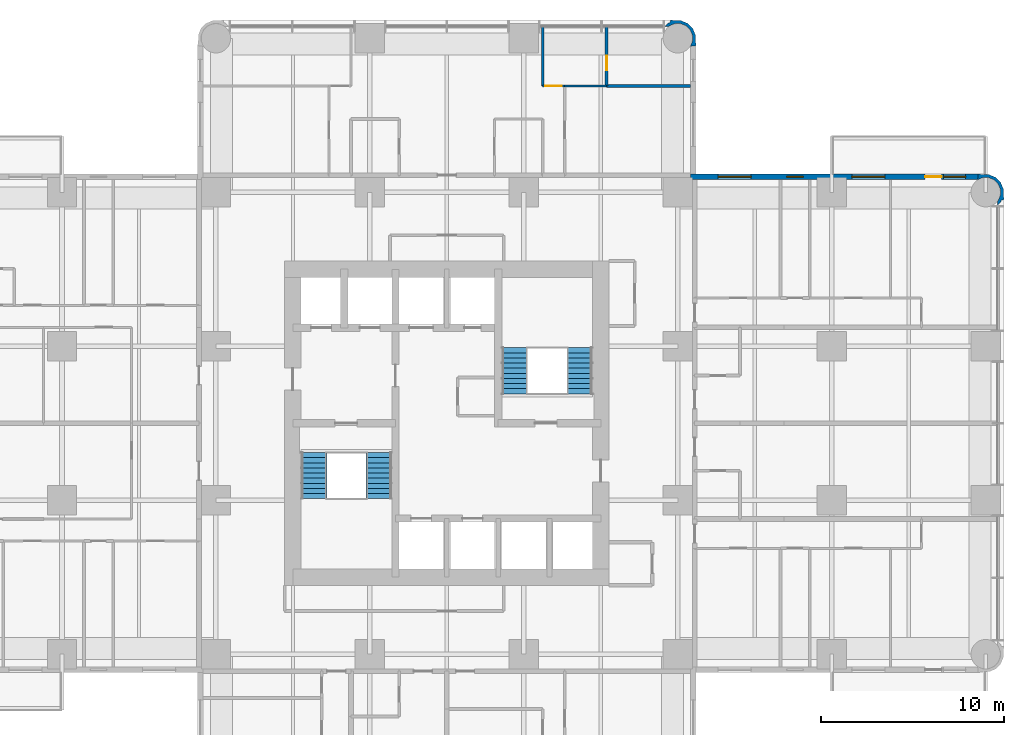
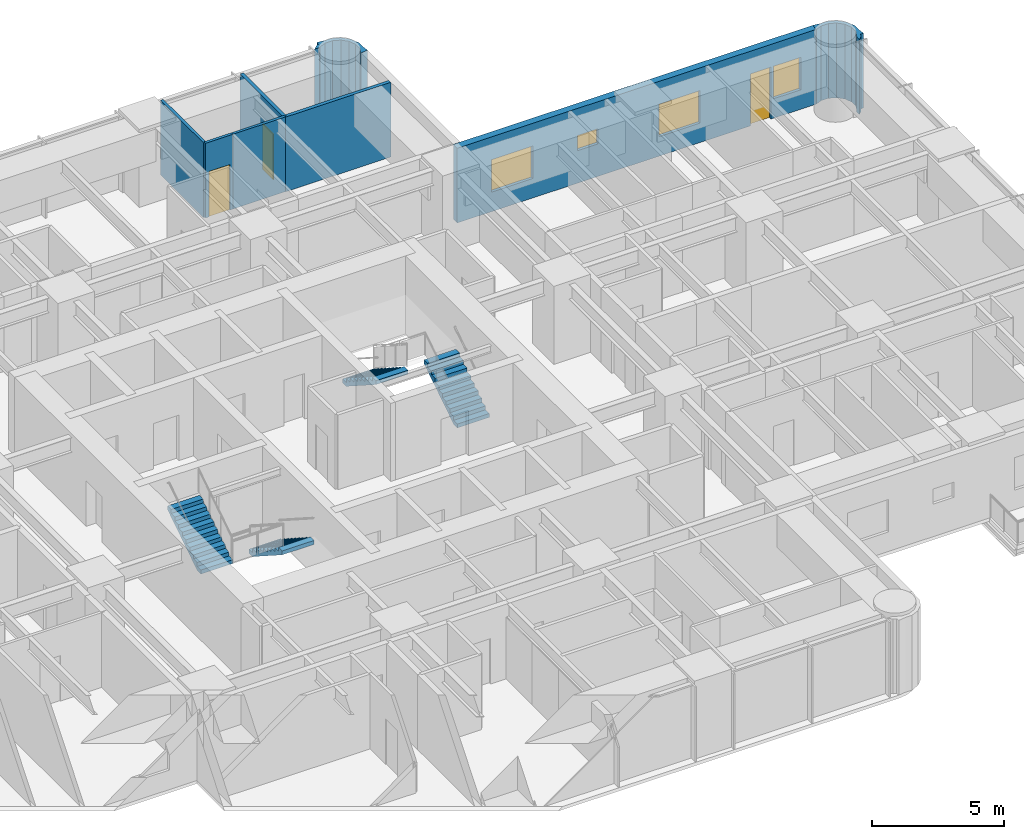
# One storey, part 12 of 14: 8 walls, 4 stair flights, 4 windows, 3 doors, 7 openings, 2 elements without a shape of their own.
"""IFC4 building model written with IfcOpenShell, lengths in metres."""

from ifc_helpers import new_model, si_unit, direction, frame, frame_2d, origin, place, context, subcontext, project, spatial, polyline, rectangle, outline, extrude, material, layer, layer_set, type_object, element, fill, aggregate, save


model = new_model("IFC4")

# Units and contexts
model_context = context("Model", 3, precision=1e-05, world=origin(), true_north=direction((0.0, 1.0)))
body_context = subcontext(model_context, "Body", "Model", "MODEL_VIEW")
ifc_project = project(units=[si_unit("LENGTHUNIT", "METRE"), si_unit("AREAUNIT", "SQUARE_METRE"), si_unit("VOLUMEUNIT", "CUBIC_METRE"), si_unit("PLANEANGLEUNIT", "RADIAN"), si_unit("MASSUNIT", "GRAM", prefix="KILO")], contexts=[model_context])

# Site, building, storey
site_placement = place(None, origin())
site = spatial("IfcSite", under=ifc_project, at=site_placement, CompositionType="ELEMENT")
building_placement = place(site_placement, origin())
building = spatial("IfcBuilding", under=site, at=building_placement, Name="Torre Alcanfor", CompositionType="ELEMENT")
storey_placement = place(building_placement, frame((0.0, 0.0, 166.5)))
storey = spatial("IfcBuildingStorey", under=building, at=storey_placement, Name="L43", CompositionType="ELEMENT", Elevation=166.5)

# Wall
ifc_material_1 = material(Name="Gypsum board on steel studs", Category="steel")
ifc_layer_1 = layer(ifc_material_1, 0.1201171875)
ifc_layer_set_1 = layer_set([ifc_layer_1], Name="Apartment partition 120")
wall_type_1 = type_object("IfcWallType", Name="Apartment partition 120", PredefinedType="PARTITIONING", material=ifc_layer_set_1)
wall_1_placement = place(storey_placement, frame((34.62890625, 51.050048828125, 0.0), z_axis=(0.0, 0.0, 1.0), x_axis=(0.0, -1.0, 0.0)))
element("IfcWall", 1, at=wall_1_placement, inside=storey, type_object=wall_type_1, Name="Partition L43-NX-LIVING / L43-NX-BED1", PredefinedType="PARTITIONING", context=body_context, shape_type="SweptSolid", body=[
    extrude(rectangle(XDim=3.25, YDim=0.1201171875, at=frame_2d((1.625, 0.0))), origin(), (0.0, 0.0, 1.0), 3.449951171875),
])

# Wall, opening, door
wall_2_placement = place(storey_placement, frame((34.62890625, 47.800048828125, 0.0), z_axis=(0.0, 0.0, 1.0), x_axis=(1.0, 0.0, 0.0)))
wall_2 = element("IfcWall", 2, at=wall_2_placement, inside=storey, type_object=wall_type_1, Name="Partition L43-NX-LIVING / L43-NX-BED1", PredefinedType="PARTITIONING", context=body_context, shape_type="SweptSolid", body=[
    extrude(rectangle(XDim=1.2001953125, YDim=0.1201171875, at=frame_2d((0.60009765625, 0.0))), origin(), (0.0, 0.0, 1.0), 3.449951171875),
])
opening_1_placement = place(wall_2_placement, frame((0.15087890625, 0.0, 0.0)))
opening_1 = element("IfcOpeningElement", 3, at=opening_1_placement, cuts=wall_2, Name="Opening D-R1", PredefinedType="OPENING", context=body_context, shape_type="SweptSolid", body=[
    extrude(rectangle(XDim=0.89990234375, YDim=2.10009765625, at=frame_2d((0.449951171875, 1.050048828125))), frame((0.0, 0.070068359375, 0.0), z_axis=(0.0, -1.0, 0.0), x_axis=(1.0, 0.0, 0.0)), (0.0, 0.0, 1.0), 0.14013671875),
])
ifc_material_2 = material(Name="Timber", Category="wood")
door_type_1 = type_object("IfcDoorType", Name="Internal door 900x2100", OperationType="SINGLE_SWING_LEFT", PredefinedType="DOOR", material=ifc_material_2)
door_1_placement = place(opening_1_placement, origin())
door_1 = element("IfcDoor", 4, at=door_1_placement, inside=storey, type_object=door_type_1, Name="Door L43-NX bed1", OperationType="SINGLE_SWING_LEFT", OverallHeight=2.10009765625, OverallWidth=0.89990234375, PredefinedType="DOOR", context=body_context, shape_type="SweptSolid", body=[
    extrude(rectangle(XDim=0.89990234375, YDim=2.10009765625, at=frame_2d((0.449951171875, 1.050048828125))), frame((0.0, 0.02490234375, 0.0), z_axis=(0.0, -1.0, 0.0), x_axis=(1.0, 0.0, 0.0)), (0.0, 0.0, 1.0), 0.050048828125),
])
fill(opening_1, door_1)

# Wall
wall_3_placement = place(storey_placement, frame((38.114013671875, 47.800048828125, 0.0), z_axis=(0.0, 0.0, 1.0), x_axis=(-1.0, 0.0, 0.0)))
element("IfcWall", 5, at=wall_3_placement, inside=storey, type_object=wall_type_1, Name="Partition L43-NX-BED3 / L43-NX-BED1", PredefinedType="PARTITIONING", context=body_context, shape_type="SweptSolid", body=[
    extrude(rectangle(XDim=2.284912109375, YDim=0.1201171875, at=frame_2d((1.142578125, 0.0))), origin(), (0.0, 0.0, 1.0), 3.449951171875),
])

# Wall, openings, door, windows
ifc_material_3 = material(Name="Limestone cladding", Category="masonry")
ifc_layer_2 = layer(ifc_material_3, 0.0400390625, Name="Facing")
ifc_material_4 = material(Name="Ventilated air cavity")
ifc_layer_3 = layer(ifc_material_4, 0.02001953125, ventilated=True, Name="Ventilated joint")
ifc_material_5 = material(Name="Mineral wool insulation", Category="insulation")
ifc_layer_4 = layer(ifc_material_5, 0.10009765625, Name="Insulation")
ifc_material_6 = material(Name="Concrete f'c 35 MPa", Category="concrete")
ifc_layer_5 = layer(ifc_material_6, 0.139892578125, Name="Backing")
ifc_layer_set_2 = layer_set([ifc_layer_2, ifc_layer_3, ifc_layer_4, ifc_layer_5], Name="External wall stone-clad 300")
wall_type_2 = type_object("IfcWallType", Name="External wall stone-clad 300", PredefinedType="SOLIDWALL", material=ifc_layer_set_2)
wall_4_placement = place(storey_placement, frame((58.39990234375, 42.85009765625, 0.0), z_axis=(0.0, 0.0, 1.0), x_axis=(-1.0, 0.0, 0.0)))
wall_4 = element("IfcWall", 6, at=wall_4_placement, inside=storey, type_object=wall_type_2, Name="External wall L43 9", PredefinedType="SOLIDWALL", context=body_context, shape_type="SweptSolid", body=[
    extrude(rectangle(XDim=15.699951171875, YDim=0.300048828125, at=frame_2d((7.85009765625, 0.0))), origin(), (0.0, 0.0, 1.0), 3.449951171875),
])
opening_2_placement = place(wall_4_placement, frame((12.39990234375, 0.0, 0.89990234375)))
opening_2 = element("IfcOpeningElement", 7, at=opening_2_placement, cuts=wall_4, Name="Opening W2", PredefinedType="OPENING", context=body_context, shape_type="SweptSolid", body=[
    extrude(rectangle(XDim=1.800048828125, YDim=1.5, at=frame_2d((0.89990234375, 0.75))), frame((0.0, 0.159912109375, 0.0), z_axis=(0.0, -1.0, 0.0), x_axis=(1.0, 0.0, 0.0)), (0.0, 0.0, 1.0), 0.320068359375),
])
opening_3_placement = place(wall_4_placement, frame((9.550048828125, 0.0, 1.5)))
opening_3 = element("IfcOpeningElement", 8, at=opening_3_placement, cuts=wall_4, Name="Opening W3", PredefinedType="OPENING", context=body_context, shape_type="SweptSolid", body=[
    extrude(rectangle(XDim=0.89990234375, YDim=0.699951171875, at=frame_2d((0.449951171875, 0.35009765625))), frame((0.0, 0.159912109375, 0.0), z_axis=(0.0, -1.0, 0.0), x_axis=(1.0, 0.0, 0.0)), (0.0, 0.0, 1.0), 0.320068359375),
])
opening_4_placement = place(wall_4_placement, frame((5.10009765625, 0.0, 0.89990234375)))
opening_4 = element("IfcOpeningElement", 9, at=opening_4_placement, cuts=wall_4, Name="Opening W2", PredefinedType="OPENING", context=body_context, shape_type="SweptSolid", body=[
    extrude(rectangle(XDim=1.800048828125, YDim=1.5, at=frame_2d((0.89990234375, 0.75))), frame((0.0, 0.159912109375, 0.0), z_axis=(0.0, -1.0, 0.0), x_axis=(1.0, 0.0, 0.0)), (0.0, 0.0, 1.0), 0.320068359375),
])
opening_5_placement = place(wall_4_placement, frame((2.0, 0.0, 0.0)))
opening_5 = element("IfcOpeningElement", 10, at=opening_5_placement, cuts=wall_4, Name="Opening D-B1", PredefinedType="OPENING", context=body_context, shape_type="SweptSolid", body=[
    extrude(rectangle(XDim=0.89990234375, YDim=2.39990234375, at=frame_2d((0.449951171875, 1.199951171875))), frame((0.0, 0.159912109375, 0.0), z_axis=(0.0, -1.0, 0.0), x_axis=(1.0, 0.0, 0.0)), (0.0, 0.0, 1.0), 0.320068359375),
])
opening_6_placement = place(wall_4_placement, frame((0.699951171875, 0.0, 0.89990234375)))
opening_6 = element("IfcOpeningElement", 11, at=opening_6_placement, cuts=wall_4, Name="Opening W4", PredefinedType="OPENING", context=body_context, shape_type="SweptSolid", body=[
    extrude(rectangle(XDim=1.199951171875, YDim=1.5, at=frame_2d((0.60009765625, 0.75))), frame((0.0, 0.159912109375, 0.0), z_axis=(0.0, -1.0, 0.0), x_axis=(1.0, 0.0, 0.0)), (0.0, 0.0, 1.0), 0.320068359375),
])
ifc_material_7 = material(Name="Aluminium and glass", Category="aluminium")
door_type_2 = type_object("IfcDoorType", Name="Balcony door glazed 900x2400", OperationType="SINGLE_SWING_LEFT", PredefinedType="DOOR", material=ifc_material_7)
door_2_placement = place(opening_5_placement, origin())
door_2 = element("IfcDoor", 12, at=door_2_placement, inside=storey, type_object=door_type_2, Name="Balcony door L43-E1", OperationType="SINGLE_SWING_RIGHT", OverallHeight=2.39990234375, OverallWidth=0.89990234375, PredefinedType="DOOR", context=body_context, shape_type="SweptSolid", body=[
    extrude(rectangle(XDim=0.89990234375, YDim=2.39990234375, at=frame_2d((0.449951171875, 1.199951171875))), frame((0.0, 0.02490234375, 0.0), z_axis=(0.0, -1.0, 0.0), x_axis=(1.0, 0.0, 0.0)), (0.0, 0.0, 1.0), 0.050048828125),
])
fill(opening_5, door_2)
ifc_material_8 = material(Name="Aluminium frame with clear double glazing", Category="aluminium")
window_type_1 = type_object("IfcWindowType", Name="Window bathroom 900x700", PartitioningType="SINGLE_PANEL", PredefinedType="WINDOW", material=ifc_material_8)
window_1_placement = place(opening_3_placement, origin())
window_1 = element("IfcWindow", 13, at=window_1_placement, inside=storey, type_object=window_type_1, Name="Window W3 L43-E1", OverallHeight=0.699951171875, OverallWidth=0.89990234375, PartitioningType="SINGLE_PANEL", PredefinedType="WINDOW", context=body_context, shape_type="SweptSolid", body=[
    extrude(rectangle(XDim=0.89990234375, YDim=0.699951171875, at=frame_2d((0.449951171875, 0.35009765625))), frame((0.0, 0.030029296875, 0.0), z_axis=(0.0, -1.0, 0.0), x_axis=(1.0, 0.0, 0.0)), (0.0, 0.0, 1.0), 0.06005859375),
])
fill(opening_3, window_1)
ifc_material_9 = material(Name="Aluminium frame with clear double glazing", Category="aluminium")
window_type_2 = type_object("IfcWindowType", Name="Window bedroom 1200x1500", PartitioningType="SINGLE_PANEL", PredefinedType="WINDOW", material=ifc_material_9)
window_2_placement = place(opening_6_placement, origin())
window_2 = element("IfcWindow", 14, at=window_2_placement, inside=storey, type_object=window_type_2, Name="Window W4 L43-E1", OverallHeight=1.5, OverallWidth=1.199951171875, PartitioningType="SINGLE_PANEL", PredefinedType="WINDOW", context=body_context, shape_type="SweptSolid", body=[
    extrude(rectangle(XDim=1.199951171875, YDim=1.5, at=frame_2d((0.60009765625, 0.75))), frame((0.0, 0.030029296875, 0.0), z_axis=(0.0, -1.0, 0.0), x_axis=(1.0, 0.0, 0.0)), (0.0, 0.0, 1.0), 0.06005859375),
])
fill(opening_6, window_2)
ifc_material_10 = material(Name="Aluminium frame with clear double glazing", Category="aluminium")
window_type_3 = type_object("IfcWindowType", Name="Window bedroom 1800x1500", PartitioningType="SINGLE_PANEL", PredefinedType="WINDOW", material=ifc_material_10)
window_3_placement = place(opening_2_placement, origin())
window_3 = element("IfcWindow", 15, at=window_3_placement, inside=storey, type_object=window_type_3, Name="Window W2 L43-E1", OverallHeight=1.5, OverallWidth=1.800048828125, PartitioningType="SINGLE_PANEL", PredefinedType="WINDOW", context=body_context, shape_type="SweptSolid", body=[
    extrude(rectangle(XDim=1.800048828125, YDim=1.5, at=frame_2d((0.89990234375, 0.75))), frame((0.0, 0.030029296875, 0.0), z_axis=(0.0, -1.0, 0.0), x_axis=(1.0, 0.0, 0.0)), (0.0, 0.0, 1.0), 0.06005859375),
])
fill(opening_2, window_3)
window_4_placement = place(opening_4_placement, origin())
window_4 = element("IfcWindow", 16, at=window_4_placement, inside=storey, type_object=window_type_3, Name="Window W2 L43-E1", OverallHeight=1.5, OverallWidth=1.800048828125, PartitioningType="SINGLE_PANEL", PredefinedType="WINDOW", context=body_context, shape_type="SweptSolid", body=[
    extrude(rectangle(XDim=1.800048828125, YDim=1.5, at=frame_2d((0.89990234375, 0.75))), frame((0.0, 0.030029296875, 0.0), z_axis=(0.0, -1.0, 0.0), x_axis=(1.0, 0.0, 0.0)), (0.0, 0.0, 1.0), 0.06005859375),
])
fill(opening_4, window_4)

# Walls
ifc_layer_6 = layer(ifc_material_3, 0.0400390625, Name="Facing")
ifc_layer_7 = layer(ifc_material_4, 0.02001953125, ventilated=True, Name="Ventilated joint")
ifc_layer_8 = layer(ifc_material_5, 0.10009765625, Name="Insulation")
ifc_layer_9 = layer(ifc_material_6, 0.139892578125, Name="Backing")
ifc_layer_set_3 = layer_set([ifc_layer_6, ifc_layer_7, ifc_layer_8, ifc_layer_9], Name="Rounded corner pier stone-clad 300")
wall_type_3 = type_object("IfcWallType", Name="Rounded corner pier stone-clad 300", PredefinedType="SOLIDWALL", material=ifc_layer_set_3)
wall_5_placement = place(storey_placement, frame((59.395317512, 41.351928198, 0.0), z_axis=(0.0, 0.0, 1.0), x_axis=(0.93923434088, 0.343276641956, 0.0)))
element("IfcWall", 17, at=wall_5_placement, inside=storey, type_object=wall_type_3, Name="Corner pier L43 18", PredefinedType="SOLIDWALL", context=body_context, shape_type="SweptSolid", body=[
    extrude(outline(polyline([(0.5319791374717469, 0.3931546875748424), (0.6305370795958255, 0.662817672163305), (0.614285462759775, 1.044364627998893), (0.4533652442516045, 1.3906676424071163), (0.17222000156622597, 1.6491237258576117), (-0.09744298302223653, 1.7476816679816904), (-0.36918355555989557, 1.8896284089825286), (-0.509101456401082, 1.6213052972671853), (-0.49052773042177455, 1.6145168675800676), (-0.47941981662998623, 1.6086375342973744), (-0.2113919059229058, 1.6201101578142136), (0.08785145707704622, 1.5107410128550955), (0.32257352025202113, 1.2952455132706726), (0.4567838912150332, 1.0060128786275908), (0.47036434537540095, 0.687566849311498), (0.36107900819019806, 0.38855279157054984), (0.14535420334677107, 0.1539145361694899), (0.10800994465551556, 0.13637103018492347), (0.030906792653685306, -0.07458980809856762), (0.2410056377422186, 0.023039004395991533), (0.3334055822831027, 0.12365495968313633), (0.46532832919806827, 0.0941544704520565), (0.5319791374717469, 0.3931546875748424)])), origin(), (0.0, 0.0, 1.0), 3.449951171875),
])
wall_6_placement = place(storey_placement, frame((42.817059488, 50.073176205, 0.0), z_axis=(0.0, 0.0, 1.0), x_axis=(0.343276641956, 0.93923434088, 0.0)))
element("IfcWall", 18, at=wall_6_placement, inside=storey, type_object=wall_type_3, Name="Corner pier L43 19", PredefinedType="SOLIDWALL", context=body_context, shape_type="SweptSolid", body=[
    extrude(outline(polyline([(0.2655808672444785, -0.0550807599050476), (0.5354731570919448, 0.04356098999294611), (0.8166183997773234, 0.30201707344344164), (0.9775386182854939, 0.6483200878516648), (0.9937902351215443, 1.0298670436872528), (0.8952322929974657, 1.2995300282757154), (0.8283521794647835, 1.5984464376245864), (0.6966587378088214, 1.5690297561674216), (0.6042587932679374, 1.6696457114545662), (0.39415994817940425, 1.7672745239491254), (0.47126310018123446, 1.5563136856656343), (0.50860735887249, 1.538770179681068), (0.7241028584569131, 1.304048116506093), (0.833388195642116, 1.0050340587651447), (0.8200370467407522, 0.686671837222967), (0.68582667577774, 0.3974392025798854), (0.4511046126027651, 0.18194370299546214), (0.15186124960281305, 0.07257455803634424), (-0.11616666110426738, 0.08404718155318341), (-0.12750388015505948, 0.07808404049657515), (-0.14607760613436685, 0.07129561080945748), (-0.0059304000341767055, -0.19694369313197083), (0.2655808672444785, -0.0550807599050476)])), origin(), (0.0, 0.0, 1.0), 3.449951171875),
])
ifc_material_11 = material(Name="Cement board on steel studs", Category="steel")
ifc_layer_10 = layer(ifc_material_11, 0.14990234375)
ifc_layer_set_4 = layer_set([ifc_layer_10], Name="Wet area partition 150")
wall_type_4 = type_object("IfcWallType", Name="Wet area partition 150", PredefinedType="PARTITIONING", material=ifc_layer_set_4)
wall_7_placement = place(storey_placement, frame((42.699951171875, 47.800048828125, 0.0), z_axis=(0.0, 0.0, 1.0), x_axis=(-1.0, 0.0, 0.0)))
element("IfcWall", 19, at=wall_7_placement, inside=storey, type_object=wall_type_4, Name="Partition L43-NX-BED3 / L43-NX-BATH1", PredefinedType="PARTITIONING", context=body_context, shape_type="SweptSolid", body=[
    extrude(rectangle(XDim=4.5859375, YDim=0.14990234375, at=frame_2d((2.29296875, 0.0))), origin(), (0.0, 0.0, 1.0), 3.449951171875),
])

# Wall, opening, door
wall_8_placement = place(storey_placement, frame((38.114013671875, 51.050048828125, 0.0), z_axis=(0.0, 0.0, 1.0), x_axis=(0.0, -1.0, 0.0)))
wall_8 = element("IfcWall", 20, at=wall_8_placement, inside=storey, type_object=wall_type_4, Name="Partition L43-NX-BATH1 / L43-NX-BED1", PredefinedType="PARTITIONING", context=body_context, shape_type="SweptSolid", body=[
    extrude(rectangle(XDim=3.25, YDim=0.14990234375, at=frame_2d((1.625, 0.0))), origin(), (0.0, 0.0, 1.0), 3.449951171875),
])
opening_7_placement = place(wall_8_placement, frame((1.60009765625, 0.0, 0.0)))
opening_7 = element("IfcOpeningElement", 21, at=opening_7_placement, cuts=wall_8, Name="Opening D-R2", PredefinedType="OPENING", context=body_context, shape_type="SweptSolid", body=[
    extrude(rectangle(XDim=0.800048828125, YDim=2.10009765625, at=frame_2d((0.39990234375, 1.050048828125))), frame((0.0, 0.0849609375, 0.0), z_axis=(0.0, -1.0, 0.0), x_axis=(1.0, 0.0, 0.0)), (0.0, 0.0, 1.0), 0.169921875),
])
ifc_material_12 = material(Name="Timber", Category="wood")
door_type_3 = type_object("IfcDoorType", Name="Bathroom door 800x2100", OperationType="SINGLE_SWING_LEFT", PredefinedType="DOOR", material=ifc_material_12)
door_3_placement = place(opening_7_placement, frame((0.800048828125, 0.0, 0.0), z_axis=(0.0, 0.0, 1.0), x_axis=(-1.0, 0.0, 0.0)))
door_3 = element("IfcDoor", 22, at=door_3_placement, inside=storey, type_object=door_type_3, Name="Door L43-NX bath1", OperationType="SINGLE_SWING_LEFT", OverallHeight=2.10009765625, OverallWidth=0.800048828125, PredefinedType="DOOR", context=body_context, shape_type="SweptSolid", body=[
    extrude(rectangle(XDim=0.800048828125, YDim=2.10009765625, at=frame_2d((0.400146484375, 1.050048828125))), frame((0.0, 0.025146484375, 0.0), z_axis=(0.0, -1.0, 0.0), x_axis=(1.0, 0.0, 0.0)), (0.0, 0.0, 1.0), 0.050048828125),
])
fill(opening_7, door_3)

# Stair, stair flights
ifc_material_13 = material(Name="Concrete f'c 35 MPa", Category="concrete")
stair_type_1 = type_object("IfcStairType", Name="Exit stair S1 1400 wide", PredefinedType="HALF_TURN_STAIR", material=ifc_material_13)
stair_1_placement = place(storey_placement, origin())
stair_1 = element("IfcStair", 23, at=stair_1_placement, inside=storey, type_object=stair_type_1, Name="Stair S1 L43 to L44", PredefinedType="HALF_TURN_STAIR")
ifc_material_14 = material(Name="Concrete f'c 35 MPa", Category="concrete")
stair_flight_type = type_object("IfcStairFlightType", Name="Stair flight 1400", PredefinedType="STRAIGHT", material=ifc_material_14)
stair_flight_1_placement = place(storey_placement, frame((25.699951171875, 27.800048828125, 0.0), z_axis=(0.0, 0.0, 1.0), x_axis=(0.0, -1.0, 0.0)))
stair_flight_1 = element("IfcStairFlight", 24, at=stair_flight_1_placement, type_object=stair_flight_type, Name="S1 flight 1", NumberOfRisers=10, NumberOfTreads=9, PredefinedType="STRAIGHT", RiserHeight=0.18, TreadLength=0.28, context=body_context, shape_type="SweptSolid", body=[
    extrude(outline(polyline([(0.0, 0.0), (0.0, 0.179931640625), (0.280029296875, 0.179931640625), (0.280029296875, 0.360107421875), (0.56005859375, 0.360107421875), (0.56005859375, 0.5400390625), (0.840087890625, 0.5400390625), (0.840087890625, 0.719970703125), (1.1201171875, 0.719970703125), (1.1201171875, 0.89990234375), (1.39990234375, 0.89990234375), (1.39990234375, 1.080078125), (1.679931640625, 1.080078125), (1.679931640625, 1.260009765625), (1.9599609375, 1.260009765625), (1.9599609375, 1.43994140625), (2.239990234375, 1.43994140625), (2.239990234375, 1.6201171875), (2.52001953125, 1.6201171875), (2.52001953125, 1.800048828125), (2.52001953125, 1.44189453125), (0.277099609375, 0.0), (0.0, 0.0)])), frame((0.0, 0.699951171875, 0.0), z_axis=(0.0, -1.0, 0.0), x_axis=(1.0, 0.0, 0.0)), (0.0, 0.0, 1.0), 1.39990234375),
])
stair_flight_2_placement = place(storey_placement, frame((22.14990234375, 25.280029296875, 1.800048828125), z_axis=(0.0, 0.0, 1.0), x_axis=(0.0, 1.0, 0.0)))
stair_flight_2 = element("IfcStairFlight", 25, at=stair_flight_2_placement, type_object=stair_flight_type, Name="S1 flight 2", NumberOfRisers=10, NumberOfTreads=9, PredefinedType="STRAIGHT", RiserHeight=0.18, TreadLength=0.28, context=body_context, shape_type="SweptSolid", body=[
    extrude(outline(polyline([(0.0, 0.0), (0.0, 0.179931640625), (0.280029296875, 0.179931640625), (0.280029296875, 0.360107421875), (0.56005859375, 0.360107421875), (0.56005859375, 0.5400390625), (0.840087890625, 0.5400390625), (0.840087890625, 0.719970703125), (1.1201171875, 0.719970703125), (1.1201171875, 0.89990234375), (1.39990234375, 0.89990234375), (1.39990234375, 1.080078125), (1.679931640625, 1.080078125), (1.679931640625, 1.260009765625), (1.9599609375, 1.260009765625), (1.9599609375, 1.43994140625), (2.239990234375, 1.43994140625), (2.239990234375, 1.6201171875), (2.52001953125, 1.6201171875), (2.52001953125, 1.800048828125), (2.52001953125, 1.44189453125), (0.277099609375, 0.0), (0.0, 0.0)])), frame((0.0, 0.699951171875, 0.0), z_axis=(0.0, -1.0, 0.0), x_axis=(1.0, 0.0, 0.0)), (0.0, 0.0, 1.0), 1.39990234375),
])
aggregate(stair_1, [stair_flight_1, stair_flight_2])

ifc_material_15 = material(Name="Concrete f'c 35 MPa", Category="concrete")
stair_type_2 = type_object("IfcStairType", Name="Exit stair S2 1400 wide", PredefinedType="HALF_TURN_STAIR", material=ifc_material_15)
stair_2_placement = place(storey_placement, origin())
stair_2 = element("IfcStair", 26, at=stair_2_placement, inside=storey, type_object=stair_type_2, Name="Stair S2 L43 to L44", PredefinedType="HALF_TURN_STAIR")
stair_flight_3_placement = place(storey_placement, frame((36.64990234375, 31.0, 0.0), z_axis=(0.0, 0.0, 1.0), x_axis=(0.0, 1.0, 0.0)))
stair_flight_3 = element("IfcStairFlight", 27, at=stair_flight_3_placement, type_object=stair_flight_type, Name="S2 flight 1", NumberOfRisers=10, NumberOfTreads=9, PredefinedType="STRAIGHT", RiserHeight=0.18, TreadLength=0.28, context=body_context, shape_type="SweptSolid", body=[
    extrude(outline(polyline([(0.0, 0.0), (0.0, 0.179931640625), (0.280029296875, 0.179931640625), (0.280029296875, 0.360107421875), (0.56005859375, 0.360107421875), (0.56005859375, 0.5400390625), (0.840087890625, 0.5400390625), (0.840087890625, 0.719970703125), (1.1201171875, 0.719970703125), (1.1201171875, 0.89990234375), (1.39990234375, 0.89990234375), (1.39990234375, 1.080078125), (1.679931640625, 1.080078125), (1.679931640625, 1.260009765625), (1.9599609375, 1.260009765625), (1.9599609375, 1.43994140625), (2.239990234375, 1.43994140625), (2.239990234375, 1.6201171875), (2.52001953125, 1.6201171875), (2.52001953125, 1.800048828125), (2.52001953125, 1.44189453125), (0.277099609375, 0.0), (0.0, 0.0)])), frame((0.0, 0.699951171875, 0.0), z_axis=(0.0, -1.0, 0.0), x_axis=(1.0, 0.0, 0.0)), (0.0, 0.0, 1.0), 1.39990234375),
])
stair_flight_4_placement = place(storey_placement, frame((33.10009765625, 33.52001953125, 1.800048828125), z_axis=(0.0, 0.0, 1.0), x_axis=(0.0, -1.0, 0.0)))
stair_flight_4 = element("IfcStairFlight", 28, at=stair_flight_4_placement, type_object=stair_flight_type, Name="S2 flight 2", NumberOfRisers=10, NumberOfTreads=9, PredefinedType="STRAIGHT", RiserHeight=0.18, TreadLength=0.28, context=body_context, shape_type="SweptSolid", body=[
    extrude(outline(polyline([(0.0, 0.0), (0.0, 0.179931640625), (0.280029296875, 0.179931640625), (0.280029296875, 0.360107421875), (0.56005859375, 0.360107421875), (0.56005859375, 0.5400390625), (0.840087890625, 0.5400390625), (0.840087890625, 0.719970703125), (1.1201171875, 0.719970703125), (1.1201171875, 0.89990234375), (1.39990234375, 0.89990234375), (1.39990234375, 1.080078125), (1.679931640625, 1.080078125), (1.679931640625, 1.260009765625), (1.9599609375, 1.260009765625), (1.9599609375, 1.43994140625), (2.239990234375, 1.43994140625), (2.239990234375, 1.6201171875), (2.52001953125, 1.6201171875), (2.52001953125, 1.800048828125), (2.52001953125, 1.44189453125), (0.277099609375, 0.0), (0.0, 0.0)])), frame((0.0, 0.699951171875, 0.0), z_axis=(0.0, -1.0, 0.0), x_axis=(1.0, 0.0, 0.0)), (0.0, 0.0, 1.0), 1.39990234375),
])
aggregate(stair_2, [stair_flight_3, stair_flight_4])

save(model, "model.ifc")
